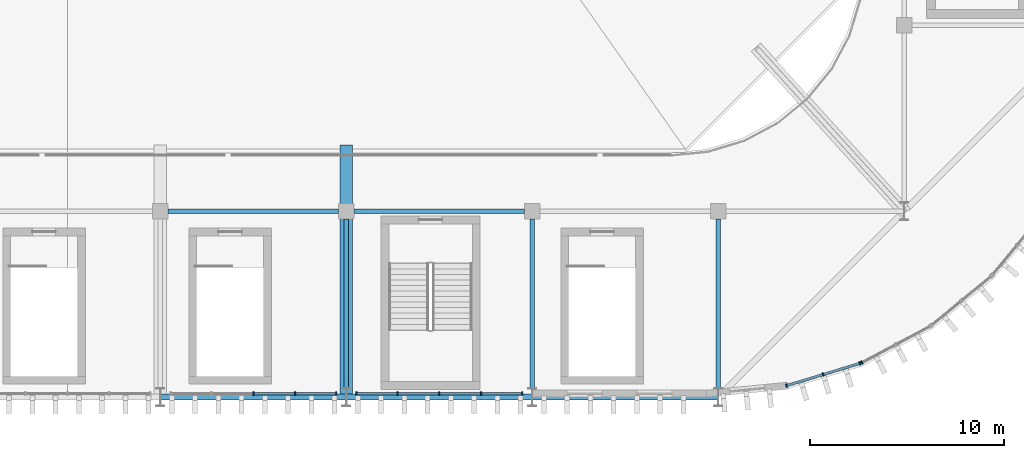
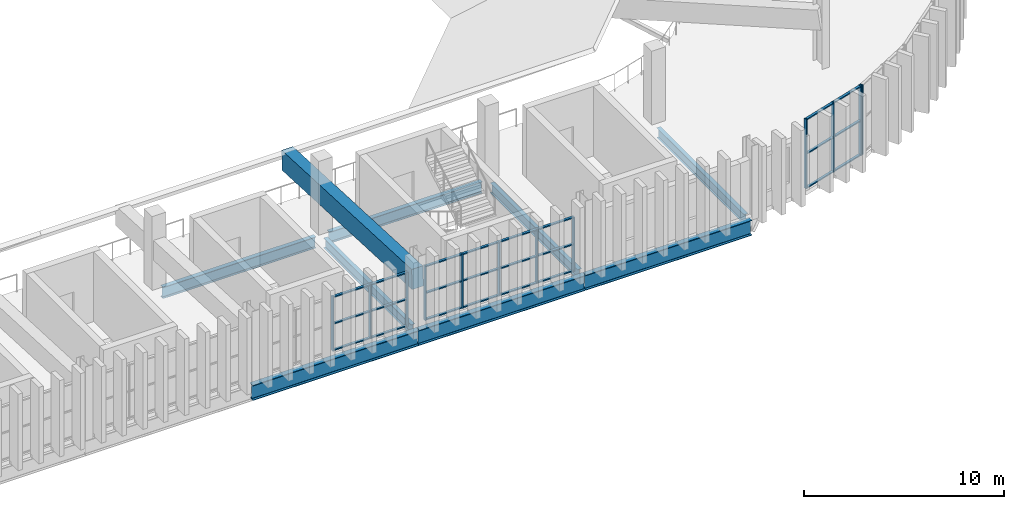
# One storey, part 19 of 69: 36 members, 9 beams, 4 elements without a shape of their own.
"""IFC4 building model written with IfcOpenShell, lengths in metres."""

from ifc_helpers import new_model, si_unit, direction, frame, origin, origin_2d, place, context, subcontext, project, spatial, rectangle, i_section, extrude, material, layer, layer_set, material_profile, profile_set, type_object, element, aggregate, save


model = new_model("IFC4")

# Units and contexts
model_context = context("Model", 3, precision=1e-05, world=origin(), true_north=direction((0.0, 1.0)))
body_context = subcontext(model_context, "Body", "Model", "MODEL_VIEW")
ifc_project = project(units=[si_unit("LENGTHUNIT", "METRE"), si_unit("AREAUNIT", "SQUARE_METRE"), si_unit("VOLUMEUNIT", "CUBIC_METRE"), si_unit("PLANEANGLEUNIT", "RADIAN"), si_unit("MASSUNIT", "GRAM", prefix="KILO")], contexts=[model_context])

# Site, building, storey
site_placement = place(None, origin())
site = spatial("IfcSite", under=ifc_project, at=site_placement, CompositionType="ELEMENT")
building_placement = place(site_placement, origin())
building = spatial("IfcBuilding", under=site, at=building_placement, Name="Caelomonte Colonnade Arena", CompositionType="ELEMENT")
storey_placement = place(building_placement, frame((0.0, 0.0, 18.60009765625)))
storey = spatial("IfcBuildingStorey", under=building, at=storey_placement, Name="L04", CompositionType="ELEMENT", Elevation=18.60009765625)

# Curtain wall, members
ifc_material_1 = material(Name="Bronze anodised aluminium and low-E glazing", Category="aluminium")
ifc_layer_1 = layer(ifc_material_1, 0.179931640625)
ifc_layer_set_1 = layer_set([ifc_layer_1], Name="Bronze anodised aluminium and low-E glazing")
curtain_wall_type_1 = type_object("IfcCurtainWallType", Name="ENV-CW-CW-L04-96-33", PredefinedType="USERDEFINED", material=ifc_layer_set_1)
curtain_wall_1_placement = place(storey_placement, origin())
curtain_wall_1 = element("IfcCurtainWall", 1, at=curtain_wall_1_placement, inside=storey, type_object=curtain_wall_type_1, Name="L04 unitized curtain wall CW-L04-1200-0194", ObjectType="UNITIZED CURTAIN WALL", PredefinedType="USERDEFINED")
ifc_material_2 = material(Name="Bronze anodised aluminium AA6063-T6", Category="aluminium")
ifc_material_profile_1 = material_profile(ifc_material_2, rectangle(XDim=0.070068359375, YDim=0.179931640625, at=origin_2d()), Name="CWM-70X180")
ifc_profile_set_1 = profile_set([ifc_material_profile_1], Name="Bronze anodised aluminium AA6063-T6")
member_type_1 = type_object("IfcMemberType", Name="ENV-CW-MULL1", PredefinedType="MULLION", material=ifc_profile_set_1)
member_1_placement = place(storey_placement, frame((120.0, 19.3798828125, 0.0), z_axis=(0.0, 0.0, 1.0), x_axis=(1.0, 0.0, 0.0)))
member_1 = element("IfcMember", 2, at=member_1_placement, type_object=member_type_1, Name="CW-L04-96-33 mullion 3", PredefinedType="MULLION", context=body_context, shape_type="SweptSolid", body=[
    extrude(rectangle(XDim=0.070068359375, YDim=0.179931640625, at=origin_2d()), origin(), (0.0, 0.0, 1.0), 3.312744140625),
])
member_2_placement = place(storey_placement, frame((122.158203125, 19.3798828125, 0.0), z_axis=(0.0, 0.0, 1.0), x_axis=(1.0, 0.0, 0.0)))
member_2 = element("IfcMember", 3, at=member_2_placement, type_object=member_type_1, Name="CW-L04-96-33 mullion 4", PredefinedType="MULLION", context=body_context, shape_type="SweptSolid", body=[
    extrude(rectangle(XDim=0.070068359375, YDim=0.179931640625, at=origin_2d()), origin(), (0.0, 0.0, 1.0), 3.312744140625),
])
member_3_placement = place(storey_placement, frame((124.281494140625, 19.3798828125, 0.0), z_axis=(0.0, 0.0, 1.0), x_axis=(1.0, 0.0, 0.0)))
member_3 = element("IfcMember", 4, at=member_3_placement, type_object=member_type_1, Name="CW-L04-96-33 mullion 5", PredefinedType="MULLION", context=body_context, shape_type="SweptSolid", body=[
    extrude(rectangle(XDim=0.070068359375, YDim=0.179931640625, at=origin_2d()), origin(), (0.0, 0.0, 1.0), 3.312744140625),
])

curtain_wall_2_placement = place(storey_placement, origin())
curtain_wall_2 = element("IfcCurtainWall", 5, at=curtain_wall_2_placement, inside=storey, type_object=curtain_wall_type_1, Name="L04 unitized curtain wall CW-L04-1296-0194", ObjectType="UNITIZED CURTAIN WALL", PredefinedType="USERDEFINED")
member_4_placement = place(storey_placement, frame((125.318603515625, 19.3798828125, 0.0), z_axis=(0.0, 0.0, 1.0), x_axis=(1.0, 0.0, 0.0)))
member_4 = element("IfcMember", 6, at=member_4_placement, type_object=member_type_1, Name="CW-L04-96-33 mullion 1", PredefinedType="MULLION", context=body_context, shape_type="SweptSolid", body=[
    extrude(rectangle(XDim=0.070068359375, YDim=0.179931640625, at=origin_2d()), origin(), (0.0, 0.0, 1.0), 3.312744140625),
])
member_5_placement = place(storey_placement, frame((127.441650390625, 19.3798828125, 0.0), z_axis=(0.0, 0.0, 1.0), x_axis=(1.0, 0.0, 0.0)))
member_5 = element("IfcMember", 7, at=member_5_placement, type_object=member_type_1, Name="CW-L04-96-33 mullion 2", PredefinedType="MULLION", context=body_context, shape_type="SweptSolid", body=[
    extrude(rectangle(XDim=0.070068359375, YDim=0.179931640625, at=origin_2d()), origin(), (0.0, 0.0, 1.0), 3.312744140625),
])
member_6_placement = place(storey_placement, frame((129.599853515625, 19.3798828125, 0.0), z_axis=(0.0, 0.0, 1.0), x_axis=(1.0, 0.0, 0.0)))
member_6 = element("IfcMember", 8, at=member_6_placement, type_object=member_type_1, Name="CW-L04-96-33 mullion 3", PredefinedType="MULLION", context=body_context, shape_type="SweptSolid", body=[
    extrude(rectangle(XDim=0.070068359375, YDim=0.179931640625, at=origin_2d()), origin(), (0.0, 0.0, 1.0), 3.312744140625),
])
member_7_placement = place(storey_placement, frame((131.758056640625, 19.3798828125, 0.0), z_axis=(0.0, 0.0, 1.0), x_axis=(1.0, 0.0, 0.0)))
member_7 = element("IfcMember", 9, at=member_7_placement, type_object=member_type_1, Name="CW-L04-96-33 mullion 4", PredefinedType="MULLION", context=body_context, shape_type="SweptSolid", body=[
    extrude(rectangle(XDim=0.070068359375, YDim=0.179931640625, at=origin_2d()), origin(), (0.0, 0.0, 1.0), 3.312744140625),
])
member_8_placement = place(storey_placement, frame((133.88134765625, 19.3798828125, 0.0), z_axis=(0.0, 0.0, 1.0), x_axis=(1.0, 0.0, 0.0)))
member_8 = element("IfcMember", 10, at=member_8_placement, type_object=member_type_1, Name="CW-L04-96-33 mullion 5", PredefinedType="MULLION", context=body_context, shape_type="SweptSolid", body=[
    extrude(rectangle(XDim=0.070068359375, YDim=0.179931640625, at=origin_2d()), origin(), (0.0, 0.0, 1.0), 3.312744140625),
])

ifc_layer_2 = layer(ifc_material_1, 0.179931640625)
ifc_layer_set_2 = layer_set([ifc_layer_2], Name="Bronze anodised aluminium and low-E glazing")
curtain_wall_type_2 = type_object("IfcCurtainWallType", Name="ENV-CW-CW-L04-44-42", PredefinedType="USERDEFINED", material=ifc_layer_set_2)
curtain_wall_3_placement = place(storey_placement, origin())
curtain_wall_3 = element("IfcCurtainWall", 11, at=curtain_wall_3_placement, inside=storey, type_object=curtain_wall_type_2, Name="L04 unitized curtain wall CW-L04-1494-0204", ObjectType="UNITIZED CURTAIN WALL", PredefinedType="USERDEFINED")
member_9_placement = place(storey_placement, frame((147.516357421875, 19.797607421875, 0.0), z_axis=(0.0, 0.0, 1.0), x_axis=(0.956949160999, 0.290255582655, 0.0)))
member_9 = element("IfcMember", 12, at=member_9_placement, type_object=member_type_1, Name="CW-L04-44-42 mullion 1", PredefinedType="MULLION", context=body_context, shape_type="SweptSolid", body=[
    extrude(rectangle(XDim=0.070068359375, YDim=0.179931640625, at=origin_2d()), origin(), (0.0, 0.0, 1.0), 4.239990234375),
])
member_10_placement = place(storey_placement, frame((149.414306640625, 20.373291015625, 0.0), z_axis=(0.0, 0.0, 1.0), x_axis=(0.956949160999, 0.290255582655, 0.0)))
member_10 = element("IfcMember", 13, at=member_10_placement, type_object=member_type_1, Name="CW-L04-44-42 mullion 2", PredefinedType="MULLION", context=body_context, shape_type="SweptSolid", body=[
    extrude(rectangle(XDim=0.070068359375, YDim=0.179931640625, at=origin_2d()), origin(), (0.0, 0.0, 1.0), 4.239990234375),
])
member_11_placement = place(storey_placement, frame((151.3125, 20.948974609375, 0.0), z_axis=(0.0, 0.0, 1.0), x_axis=(0.956949160999, 0.290255582655, 0.0)))
member_11 = element("IfcMember", 14, at=member_11_placement, type_object=member_type_1, Name="CW-L04-44-42 mullion 3", PredefinedType="MULLION", context=body_context, shape_type="SweptSolid", body=[
    extrude(rectangle(XDim=0.070068359375, YDim=0.179931640625, at=origin_2d()), origin(), (0.0, 0.0, 1.0), 4.239990234375),
])

# Curtain wall, member
curtain_wall_4_placement = place(storey_placement, origin())
curtain_wall_4 = element("IfcCurtainWall", 15, at=curtain_wall_4_placement, inside=storey, type_object=curtain_wall_type_2, Name="L04 unitized curtain wall CW-L04-1532-0219", ObjectType="UNITIZED CURTAIN WALL", PredefinedType="USERDEFINED")
member_12_placement = place(storey_placement, frame((151.417724609375, 20.99267578125, 0.0), z_axis=(0.0, 0.0, 1.0), x_axis=(0.881922613642, 0.471394212466, 0.0)))
member_12 = element("IfcMember", 16, at=member_12_placement, type_object=member_type_1, Name="CW-L04-44-42 mullion 1", PredefinedType="MULLION", context=body_context, shape_type="SweptSolid", body=[
    extrude(rectangle(XDim=0.070068359375, YDim=0.179931640625, at=origin_2d()), origin(), (0.0, 0.0, 1.0), 4.239990234375),
])
aggregate(curtain_wall_4, [member_12])

# Member
ifc_material_profile_2 = material_profile(ifc_material_2, rectangle(XDim=0.070068359375, YDim=0.139892578125, at=origin_2d()), Name="CWT-70X140")
ifc_profile_set_2 = profile_set([ifc_material_profile_2], Name="Bronze anodised aluminium AA6063-T6")
member_type_2 = type_object("IfcMemberType", Name="ENV-CW-TRAN1", PredefinedType="USERDEFINED", material=ifc_profile_set_2)
member_13_placement = place(storey_placement, frame((120.034912109375, 19.3798828125, 0.034912109375), z_axis=(1.0, 0.0, 0.0), x_axis=(0.0, 0.0, 1.0)))
member_13 = element("IfcMember", 17, at=member_13_placement, type_object=member_type_2, Name="CW-L04-96-33 transom 3.1", ObjectType="TRANSOM", PredefinedType="USERDEFINED", context=body_context, shape_type="SweptSolid", body=[
    extrude(rectangle(XDim=0.070068359375, YDim=0.139892578125, at=origin_2d()), origin(), (0.0, 0.0, 1.0), 2.08837890625),
])

member_14_placement = place(storey_placement, frame((120.034912109375, 19.3798828125, 1.65625), z_axis=(1.0, 0.0, 0.0), x_axis=(0.0, 0.0, 1.0)))
member_14 = element("IfcMember", 18, at=member_14_placement, type_object=member_type_2, Name="CW-L04-96-33 transom 3.2", ObjectType="TRANSOM", PredefinedType="USERDEFINED", context=body_context, shape_type="SweptSolid", body=[
    extrude(rectangle(XDim=0.070068359375, YDim=0.139892578125, at=origin_2d()), origin(), (0.0, 0.0, 1.0), 2.08837890625),
])

member_15_placement = place(storey_placement, frame((120.034912109375, 19.3798828125, 3.277587890625), z_axis=(1.0, 0.0, 0.0), x_axis=(0.0, 0.0, 1.0)))
member_15 = element("IfcMember", 19, at=member_15_placement, type_object=member_type_2, Name="CW-L04-96-33 transom 3.3", ObjectType="TRANSOM", PredefinedType="USERDEFINED", context=body_context, shape_type="SweptSolid", body=[
    extrude(rectangle(XDim=0.070068359375, YDim=0.139892578125, at=origin_2d()), origin(), (0.0, 0.0, 1.0), 2.08837890625),
])

member_16_placement = place(storey_placement, frame((122.193359375, 19.3798828125, 0.034912109375), z_axis=(1.0, 0.0, 0.0), x_axis=(0.0, 0.0, 1.0)))
member_16 = element("IfcMember", 20, at=member_16_placement, type_object=member_type_2, Name="CW-L04-96-33 transom 4.1", ObjectType="TRANSOM", PredefinedType="USERDEFINED", context=body_context, shape_type="SweptSolid", body=[
    extrude(rectangle(XDim=0.070068359375, YDim=0.139892578125, at=origin_2d()), origin(), (0.0, 0.0, 1.0), 2.05322265625),
])

member_17_placement = place(storey_placement, frame((122.193359375, 19.3798828125, 1.65625), z_axis=(1.0, 0.0, 0.0), x_axis=(0.0, 0.0, 1.0)))
member_17 = element("IfcMember", 21, at=member_17_placement, type_object=member_type_2, Name="CW-L04-96-33 transom 4.2", ObjectType="TRANSOM", PredefinedType="USERDEFINED", context=body_context, shape_type="SweptSolid", body=[
    extrude(rectangle(XDim=0.070068359375, YDim=0.139892578125, at=origin_2d()), origin(), (0.0, 0.0, 1.0), 2.05322265625),
])

member_18_placement = place(storey_placement, frame((122.193359375, 19.3798828125, 3.277587890625), z_axis=(1.0, 0.0, 0.0), x_axis=(0.0, 0.0, 1.0)))
member_18 = element("IfcMember", 22, at=member_18_placement, type_object=member_type_2, Name="CW-L04-96-33 transom 4.3", ObjectType="TRANSOM", PredefinedType="USERDEFINED", context=body_context, shape_type="SweptSolid", body=[
    extrude(rectangle(XDim=0.070068359375, YDim=0.139892578125, at=origin_2d()), origin(), (0.0, 0.0, 1.0), 2.05322265625),
])

aggregate(curtain_wall_1, [member_1, member_2, member_3, member_13, member_14, member_15, member_16, member_17, member_18])

member_19_placement = place(storey_placement, frame((125.353515625, 19.3798828125, 0.034912109375), z_axis=(1.0, 0.0, 0.0), x_axis=(0.0, 0.0, 1.0)))
member_19 = element("IfcMember", 23, at=member_19_placement, type_object=member_type_2, Name="CW-L04-96-33 transom 1.1", ObjectType="TRANSOM", PredefinedType="USERDEFINED", context=body_context, shape_type="SweptSolid", body=[
    extrude(rectangle(XDim=0.070068359375, YDim=0.139892578125, at=origin_2d()), origin(), (0.0, 0.0, 1.0), 2.05322265625),
])

member_20_placement = place(storey_placement, frame((125.353515625, 19.3798828125, 1.65625), z_axis=(1.0, 0.0, 0.0), x_axis=(0.0, 0.0, 1.0)))
member_20 = element("IfcMember", 24, at=member_20_placement, type_object=member_type_2, Name="CW-L04-96-33 transom 1.2", ObjectType="TRANSOM", PredefinedType="USERDEFINED", context=body_context, shape_type="SweptSolid", body=[
    extrude(rectangle(XDim=0.070068359375, YDim=0.139892578125, at=origin_2d()), origin(), (0.0, 0.0, 1.0), 2.05322265625),
])

member_21_placement = place(storey_placement, frame((125.353515625, 19.3798828125, 3.277587890625), z_axis=(1.0, 0.0, 0.0), x_axis=(0.0, 0.0, 1.0)))
member_21 = element("IfcMember", 25, at=member_21_placement, type_object=member_type_2, Name="CW-L04-96-33 transom 1.3", ObjectType="TRANSOM", PredefinedType="USERDEFINED", context=body_context, shape_type="SweptSolid", body=[
    extrude(rectangle(XDim=0.070068359375, YDim=0.139892578125, at=origin_2d()), origin(), (0.0, 0.0, 1.0), 2.05322265625),
])

member_22_placement = place(storey_placement, frame((127.476806640625, 19.3798828125, 0.034912109375), z_axis=(1.0, 0.0, 0.0), x_axis=(0.0, 0.0, 1.0)))
member_22 = element("IfcMember", 26, at=member_22_placement, type_object=member_type_2, Name="CW-L04-96-33 transom 2.1", ObjectType="TRANSOM", PredefinedType="USERDEFINED", context=body_context, shape_type="SweptSolid", body=[
    extrude(rectangle(XDim=0.070068359375, YDim=0.139892578125, at=origin_2d()), origin(), (0.0, 0.0, 1.0), 2.088134765625),
])

member_23_placement = place(storey_placement, frame((127.476806640625, 19.3798828125, 1.65625), z_axis=(1.0, 0.0, 0.0), x_axis=(0.0, 0.0, 1.0)))
member_23 = element("IfcMember", 27, at=member_23_placement, type_object=member_type_2, Name="CW-L04-96-33 transom 2.2", ObjectType="TRANSOM", PredefinedType="USERDEFINED", context=body_context, shape_type="SweptSolid", body=[
    extrude(rectangle(XDim=0.070068359375, YDim=0.139892578125, at=origin_2d()), origin(), (0.0, 0.0, 1.0), 2.088134765625),
])

member_24_placement = place(storey_placement, frame((127.476806640625, 19.3798828125, 3.277587890625), z_axis=(1.0, 0.0, 0.0), x_axis=(0.0, 0.0, 1.0)))
member_24 = element("IfcMember", 28, at=member_24_placement, type_object=member_type_2, Name="CW-L04-96-33 transom 2.3", ObjectType="TRANSOM", PredefinedType="USERDEFINED", context=body_context, shape_type="SweptSolid", body=[
    extrude(rectangle(XDim=0.070068359375, YDim=0.139892578125, at=origin_2d()), origin(), (0.0, 0.0, 1.0), 2.088134765625),
])

member_25_placement = place(storey_placement, frame((129.635009765625, 19.3798828125, 0.034912109375), z_axis=(1.0, 0.0, 0.0), x_axis=(0.0, 0.0, 1.0)))
member_25 = element("IfcMember", 29, at=member_25_placement, type_object=member_type_2, Name="CW-L04-96-33 transom 3.1", ObjectType="TRANSOM", PredefinedType="USERDEFINED", context=body_context, shape_type="SweptSolid", body=[
    extrude(rectangle(XDim=0.070068359375, YDim=0.139892578125, at=origin_2d()), origin(), (0.0, 0.0, 1.0), 2.088134765625),
])

member_26_placement = place(storey_placement, frame((129.635009765625, 19.3798828125, 1.65625), z_axis=(1.0, 0.0, 0.0), x_axis=(0.0, 0.0, 1.0)))
member_26 = element("IfcMember", 30, at=member_26_placement, type_object=member_type_2, Name="CW-L04-96-33 transom 3.2", ObjectType="TRANSOM", PredefinedType="USERDEFINED", context=body_context, shape_type="SweptSolid", body=[
    extrude(rectangle(XDim=0.070068359375, YDim=0.139892578125, at=origin_2d()), origin(), (0.0, 0.0, 1.0), 2.088134765625),
])

member_27_placement = place(storey_placement, frame((129.635009765625, 19.3798828125, 3.277587890625), z_axis=(1.0, 0.0, 0.0), x_axis=(0.0, 0.0, 1.0)))
member_27 = element("IfcMember", 31, at=member_27_placement, type_object=member_type_2, Name="CW-L04-96-33 transom 3.3", ObjectType="TRANSOM", PredefinedType="USERDEFINED", context=body_context, shape_type="SweptSolid", body=[
    extrude(rectangle(XDim=0.070068359375, YDim=0.139892578125, at=origin_2d()), origin(), (0.0, 0.0, 1.0), 2.088134765625),
])

member_28_placement = place(storey_placement, frame((131.793212890625, 19.3798828125, 0.034912109375), z_axis=(1.0, 0.0, 0.0), x_axis=(0.0, 0.0, 1.0)))
member_28 = element("IfcMember", 32, at=member_28_placement, type_object=member_type_2, Name="CW-L04-96-33 transom 4.1", ObjectType="TRANSOM", PredefinedType="USERDEFINED", context=body_context, shape_type="SweptSolid", body=[
    extrude(rectangle(XDim=0.070068359375, YDim=0.139892578125, at=origin_2d()), origin(), (0.0, 0.0, 1.0), 2.05322265625),
])

member_29_placement = place(storey_placement, frame((131.793212890625, 19.3798828125, 1.65625), z_axis=(1.0, 0.0, 0.0), x_axis=(0.0, 0.0, 1.0)))
member_29 = element("IfcMember", 33, at=member_29_placement, type_object=member_type_2, Name="CW-L04-96-33 transom 4.2", ObjectType="TRANSOM", PredefinedType="USERDEFINED", context=body_context, shape_type="SweptSolid", body=[
    extrude(rectangle(XDim=0.070068359375, YDim=0.139892578125, at=origin_2d()), origin(), (0.0, 0.0, 1.0), 2.05322265625),
])

member_30_placement = place(storey_placement, frame((131.793212890625, 19.3798828125, 3.277587890625), z_axis=(1.0, 0.0, 0.0), x_axis=(0.0, 0.0, 1.0)))
member_30 = element("IfcMember", 34, at=member_30_placement, type_object=member_type_2, Name="CW-L04-96-33 transom 4.3", ObjectType="TRANSOM", PredefinedType="USERDEFINED", context=body_context, shape_type="SweptSolid", body=[
    extrude(rectangle(XDim=0.070068359375, YDim=0.139892578125, at=origin_2d()), origin(), (0.0, 0.0, 1.0), 2.05322265625),
])

aggregate(curtain_wall_2, [member_4, member_5, member_6, member_7, member_8, member_19, member_20, member_21, member_22, member_23, member_24, member_25, member_26, member_27, member_28, member_29, member_30])

member_31_placement = place(storey_placement, frame((147.5498046875, 19.8076171875, 0.034912109375), z_axis=(0.956943884494, 0.290272978297, 0.0), x_axis=(0.0, 0.0, 1.0)))
member_31 = element("IfcMember", 35, at=member_31_placement, type_object=member_type_2, Name="CW-L04-44-42 transom 1.1", ObjectType="TRANSOM", PredefinedType="USERDEFINED", context=body_context, shape_type="SweptSolid", body=[
    extrude(rectangle(XDim=0.070068359375, YDim=0.139892578125, at=origin_2d()), origin(), (0.0, 0.0, 1.0), 1.913330078125),
])

member_32_placement = place(storey_placement, frame((147.5498046875, 19.8076171875, 2.119873046875), z_axis=(0.956943884494, 0.290272978297, 0.0), x_axis=(0.0, 0.0, 1.0)))
member_32 = element("IfcMember", 36, at=member_32_placement, type_object=member_type_2, Name="CW-L04-44-42 transom 1.2", ObjectType="TRANSOM", PredefinedType="USERDEFINED", context=body_context, shape_type="SweptSolid", body=[
    extrude(rectangle(XDim=0.070068359375, YDim=0.139892578125, at=origin_2d()), origin(), (0.0, 0.0, 1.0), 1.913330078125),
])

member_33_placement = place(storey_placement, frame((147.5498046875, 19.8076171875, 4.204833984375), z_axis=(0.956943884494, 0.290272978297, 0.0), x_axis=(0.0, 0.0, 1.0)))
member_33 = element("IfcMember", 37, at=member_33_placement, type_object=member_type_2, Name="CW-L04-44-42 transom 1.3", ObjectType="TRANSOM", PredefinedType="USERDEFINED", context=body_context, shape_type="SweptSolid", body=[
    extrude(rectangle(XDim=0.070068359375, YDim=0.139892578125, at=origin_2d()), origin(), (0.0, 0.0, 1.0), 1.913330078125),
])

member_34_placement = place(storey_placement, frame((149.447998046875, 20.38330078125, 0.034912109375), z_axis=(0.956933131783, 0.290308424431, 0.0), x_axis=(0.0, 0.0, 1.0)))
member_34 = element("IfcMember", 38, at=member_34_placement, type_object=member_type_2, Name="CW-L04-44-42 transom 2.1", ObjectType="TRANSOM", PredefinedType="USERDEFINED", context=body_context, shape_type="SweptSolid", body=[
    extrude(rectangle(XDim=0.070068359375, YDim=0.139892578125, at=origin_2d()), origin(), (0.0, 0.0, 1.0), 1.9130859375),
])

member_35_placement = place(storey_placement, frame((149.447998046875, 20.38330078125, 2.119873046875), z_axis=(0.956933131783, 0.290308424431, 0.0), x_axis=(0.0, 0.0, 1.0)))
member_35 = element("IfcMember", 39, at=member_35_placement, type_object=member_type_2, Name="CW-L04-44-42 transom 2.2", ObjectType="TRANSOM", PredefinedType="USERDEFINED", context=body_context, shape_type="SweptSolid", body=[
    extrude(rectangle(XDim=0.070068359375, YDim=0.139892578125, at=origin_2d()), origin(), (0.0, 0.0, 1.0), 1.9130859375),
])

member_36_placement = place(storey_placement, frame((149.447998046875, 20.38330078125, 4.204833984375), z_axis=(0.956933131783, 0.290308424431, 0.0), x_axis=(0.0, 0.0, 1.0)))
member_36 = element("IfcMember", 40, at=member_36_placement, type_object=member_type_2, Name="CW-L04-44-42 transom 2.3", ObjectType="TRANSOM", PredefinedType="USERDEFINED", context=body_context, shape_type="SweptSolid", body=[
    extrude(rectangle(XDim=0.070068359375, YDim=0.139892578125, at=origin_2d()), origin(), (0.0, 0.0, 1.0), 1.9130859375),
])

aggregate(curtain_wall_3, [member_9, member_10, member_11, member_31, member_32, member_33, member_34, member_35, member_36])

# Beams
ifc_material_3 = material(Name="Wide-flange steel ASTM A992 Grade 50", Category="steel")
ifc_material_profile_3 = material_profile(ifc_material_3, i_section(OverallWidth=0.307861328125, OverallDepth=0.927001953125, WebThickness=0.019287109375, FlangeThickness=0.031982421875, FilletRadius=0.020263671875, at=origin_2d()), Name="W36X194")
ifc_profile_set_3 = profile_set([ifc_material_profile_3], Name="Wide-flange steel ASTM A992 Grade 50")
beam_type_1 = type_object("IfcBeamType", Name="STR-BM-EAVES2", PredefinedType="SPANDREL", material=ifc_profile_set_3)
beam_1_placement = place(storey_placement, frame((115.2119140625, 19.199951171875, -0.7236328125), z_axis=(1.0, 0.0, 0.0), x_axis=(0.0, 1.0, 0.0)))
element("IfcBeam", 41, at=beam_1_placement, inside=storey, type_object=beam_type_1, Name="L04 girder BMX-L04-1152-0192", PredefinedType="SPANDREL", context=body_context, shape_type="SweptSolid", body=[
    extrude(i_section(OverallWidth=0.307861328125, OverallDepth=0.927001953125, WebThickness=0.019287109375, FlangeThickness=0.031982421875, FilletRadius=0.020263671875, at=origin_2d()), origin(), (0.0, 0.0, 1.0), 9.576171875),
])
for number, where, z_axis, x_axis, name in (
    (42, (124.81201171875, 19.199951171875, -0.7236328125), (1.0, 0.0, 0.0), (0.0, 1.0, 0.0), "L04 girder BMX-L04-1248-0192"),
    (43, (134.412109375, 19.199951171875, -0.7236328125), (1.0, 0.0, 0.0), (0.0, 1.0, 0.0), "L04 girder BMX-L04-1344-0192"),
):
    element("IfcBeam", number, at=place(storey_placement, frame(where, z_axis=z_axis, x_axis=x_axis)), inside=storey, type_object=beam_type_1, Name=name, PredefinedType="SPANDREL", context=body_context, shape_type="SweptSolid", body=[
        extrude(i_section(OverallWidth=0.307861328125, OverallDepth=0.927001953125, WebThickness=0.019287109375, FlangeThickness=0.031982421875, FilletRadius=0.020263671875, at=origin_2d()), origin(), (0.0, 0.0, 1.0), 9.575927734375),
    ])
ifc_material_profile_4 = material_profile(ifc_material_3, i_section(OverallWidth=0.227783203125, OverallDepth=0.60205078125, WebThickness=0.010498046875, FlangeThickness=0.014892578125, FilletRadius=0.0126953125, at=origin_2d()), Name="W24X68")
ifc_profile_set_4 = profile_set([ifc_material_profile_4], Name="Wide-flange steel ASTM A992 Grade 50")
beam_type_2 = type_object("IfcBeamType", Name="STR-BM-GIRD24B", PredefinedType="SPANDREL", material=ifc_profile_set_4)
for number, where, z_axis, x_axis, name in (
    (44, (124.800048828125, 19.665771484375, -0.56103515625), (0.0, 1.0, 0.0), (-1.0, 0.0, 0.0), "L04 girder BMY-L04-1248-0192"),
    (45, (134.39990234375, 19.665771484375, -0.56103515625), (0.0, 1.0, 0.0), (-1.0, 0.0, 0.0), "L04 girder BMY-L04-1344-0192"),
    (46, (144.0, 19.665771484375, -0.56103515625), (0.0, 1.0, 0.0), (-1.0, 0.0, 0.0), "L04 girder BMY-L04-1440-0192"),
):
    element("IfcBeam", number, at=place(storey_placement, frame(where, z_axis=z_axis, x_axis=x_axis)), inside=storey, type_object=beam_type_2, Name=name, PredefinedType="SPANDREL", context=body_context, shape_type="SweptSolid", body=[
        extrude(i_section(OverallWidth=0.227783203125, OverallDepth=0.60205078125, WebThickness=0.010498046875, FlangeThickness=0.014892578125, FilletRadius=0.0126953125, at=origin_2d()), origin(), (0.0, 0.0, 1.0), 8.7421875),
    ])
ifc_material_profile_5 = material_profile(ifc_material_3, i_section(OverallWidth=0.253662109375, OverallDepth=0.683349609375, WebThickness=0.012451171875, FlangeThickness=0.018798828125, FilletRadius=0.01513671875, at=origin_2d()), Name="W27X94")
ifc_profile_set_5 = profile_set([ifc_material_profile_5], Name="Wide-flange steel ASTM A992 Grade 50")
beam_type_3 = type_object("IfcBeamType", Name="STR-BM-GIRD27", PredefinedType="BEAM", material=ifc_profile_set_5)
beam_2_placement = place(storey_placement, frame((115.592041015625, 28.800048828125, -0.601806640625), z_axis=(1.0, 0.0, 0.0), x_axis=(0.0, 1.0, 0.0)))
element("IfcBeam", 47, at=beam_2_placement, inside=storey, type_object=beam_type_3, Name="L04 girder BMX-L04-1152-0288", PredefinedType="BEAM", context=body_context, shape_type="SweptSolid", body=[
    extrude(i_section(OverallWidth=0.253662109375, OverallDepth=0.683349609375, WebThickness=0.012451171875, FlangeThickness=0.018798828125, FilletRadius=0.01513671875, at=origin_2d()), origin(), (0.0, 0.0, 1.0), 8.81591796875),
])
beam_3_placement = place(storey_placement, frame((125.19189453125, 28.800048828125, -0.601806640625), z_axis=(1.0, 0.0, 0.0), x_axis=(0.0, 1.0, 0.0)))
element("IfcBeam", 48, at=beam_3_placement, inside=storey, type_object=beam_type_3, Name="L04 girder BMX-L04-1248-0288", PredefinedType="BEAM", context=body_context, shape_type="SweptSolid", body=[
    extrude(i_section(OverallWidth=0.253662109375, OverallDepth=0.683349609375, WebThickness=0.012451171875, FlangeThickness=0.018798828125, FilletRadius=0.01513671875, at=origin_2d()), origin(), (0.0, 0.0, 1.0), 8.816162109375),
])
ifc_material_4 = material(Name="Concrete C50/60", Category="concrete")
ifc_material_profile_6 = material_profile(ifc_material_4, rectangle(XDim=0.64990234375, YDim=1.199951171875, at=origin_2d()), Name="RC650X1200")
ifc_profile_set_6 = profile_set([ifc_material_profile_6], Name="Concrete C50/60")
beam_type_4 = type_object("IfcBeamType", Name="STR-BM-RKU", PredefinedType="USERDEFINED", material=ifc_profile_set_6)
beam_4_placement = place(storey_placement, frame((124.800048828125, 19.219970703125, 2.849853515625), z_axis=(0.0, 0.998933852291, -0.046164474948), x_axis=(-1.0, 0.0, 0.0)))
element("IfcBeam", 49, at=beam_4_placement, inside=storey, type_object=beam_type_4, Name="Upper bowl cantilevered raker girder S-124", ObjectType="RAKER", PredefinedType="USERDEFINED", context=body_context, shape_type="SweptSolid", body=[
    extrude(rectangle(XDim=0.64990234375, YDim=1.199951171875, at=origin_2d()), origin(), (0.0, 0.0, 1.0), 12.993896484375),
])

save(model, "model.ifc")
